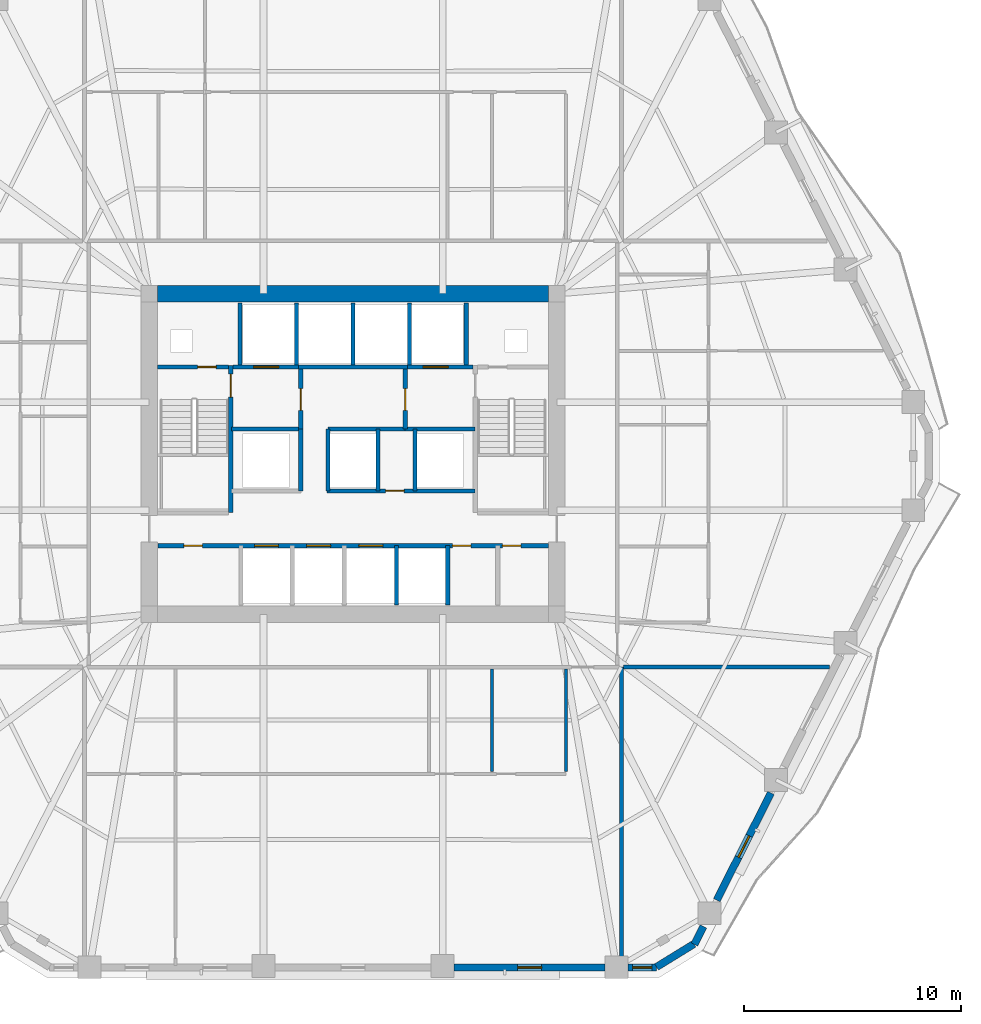
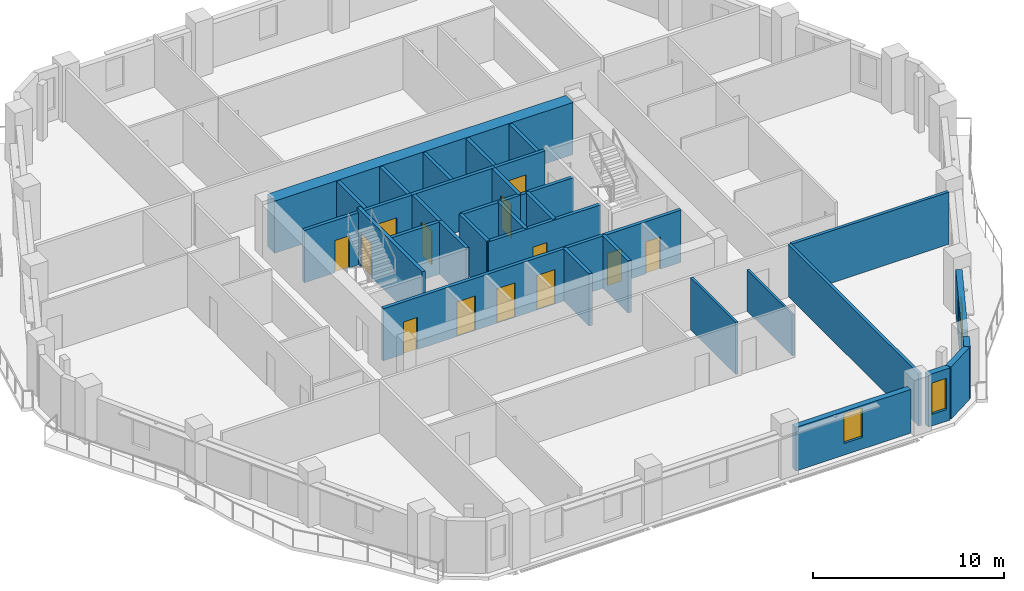
# One storey, part 5 of 13: 33 walls, 13 doors, 3 windows, 16 openings.
"""IFC4 building model written with IfcOpenShell, lengths in metres."""

from ifc_helpers import new_model, si_unit, direction, frame, frame_2d, origin, place, context, subcontext, project, spatial, rectangle, extrude, material, layer, layer_set, type_object, element, fill, save


model = new_model("IFC4")

# Units and contexts
model_context = context("Model", 3, precision=1e-05, world=origin(), true_north=direction((0.0, 1.0)))
body_context = subcontext(model_context, "Body", "Model", "MODEL_VIEW")
ifc_project = project(units=[si_unit("LENGTHUNIT", "METRE"), si_unit("AREAUNIT", "SQUARE_METRE"), si_unit("VOLUMEUNIT", "CUBIC_METRE"), si_unit("PLANEANGLEUNIT", "RADIAN"), si_unit("MASSUNIT", "GRAM", prefix="KILO")], contexts=[model_context])

# Site, building, storey
site_placement = place(None, origin())
site = spatial("IfcSite", under=ifc_project, at=site_placement, CompositionType="ELEMENT")
building_placement = place(site_placement, origin())
building = spatial("IfcBuilding", under=site, at=building_placement, Name="Cinnabar Lancet Tower", CompositionType="ELEMENT")
storey_placement = place(building_placement, frame((0.0, 0.0, 83.550048828125)))
storey = spatial("IfcBuildingStorey", under=building, at=storey_placement, Name="L21", CompositionType="ELEMENT", Elevation=83.550048828125)

# Walls
ifc_material_1 = material(Name="Fire-rated twin-frame acoustic drywall", Category="gypsum")
ifc_layer_1 = layer(ifc_material_1, 0.179931640625)
ifc_layer_set_1 = layer_set([ifc_layer_1], Name="Fire-rated twin-frame acoustic drywall")
wall_type_1 = type_object("IfcWallType", Name="ARC-WL-PARTY-180", PredefinedType="PARTITIONING", material=ifc_layer_set_1)
wall_1_placement = place(storey_placement, frame((44.75, 2.455078125, 0.0), z_axis=(0.0, 0.0, 1.0), x_axis=(0.0, 1.0, 0.0)))
element("IfcWall", 1, at=wall_1_placement, inside=storey, type_object=wall_type_1, Name="PW-L21-SPTY-448", PredefinedType="PARTITIONING", context=body_context, shape_type="SweptSolid", body=[
    extrude(rectangle(XDim=13.64501953125, YDim=0.179931640625, at=frame_2d((6.822509765625, 0.0))), origin(), (0.0, 0.0, 1.0), 3.329833984375),
])
wall_2_placement = place(storey_placement, frame((44.844970703125, 16.10009765625, 0.0), z_axis=(0.0, 0.0, 1.0), x_axis=(1.0, 0.0, 0.0)))
element("IfcWall", 2, at=wall_2_placement, inside=storey, type_object=wall_type_1, Name="PW-L21-ESB", PredefinedType="PARTITIONING", context=body_context, shape_type="SweptSolid", body=[
    extrude(rectangle(XDim=9.467041015625, YDim=0.179931640625, at=frame_2d((4.7333984375, 0.0))), origin(), (0.0, 0.0, 1.0), 3.329833984375),
])

# Wall, opening, door
ifc_material_2 = material(Name="Autoclaved aerated concrete blockwork", Category="masonry")
ifc_layer_2 = layer(ifc_material_2, 0.199951171875)
ifc_layer_set_2 = layer_set([ifc_layer_2], Name="Autoclaved aerated concrete blockwork")
wall_type_2 = type_object("IfcWallType", Name="ARC-WL-SHAFT-200", PredefinedType="PLUMBINGWALL", material=ifc_layer_set_2)
wall_3_placement = place(storey_placement, frame((23.405029296875, 29.89990234375, 0.0), z_axis=(0.0, 0.0, 1.0), x_axis=(1.0, 0.0, 0.0)))
wall_3 = element("IfcWall", 3, at=wall_3_placement, inside=storey, type_object=wall_type_2, Name="CW-NSH-W-L21", PredefinedType="PLUMBINGWALL", context=body_context, shape_type="SweptSolid", body=[
    extrude(rectangle(XDim=3.27001953125, YDim=0.199951171875, at=frame_2d((1.635009765625, 0.0))), origin(), (0.0, 0.0, 1.0), 3.329833984375),
])
opening_1_placement = place(wall_3_placement, frame((1.85009765625, 0.0, 0.0)))
opening_1 = element("IfcOpeningElement", 4, at=opening_1_placement, cuts=wall_3, Name="Opening PD-02", PredefinedType="OPENING", context=body_context, shape_type="SweptSolid", body=[
    extrude(rectangle(XDim=0.85009765625, YDim=2.050048828125, at=frame_2d((0.425048828125, 1.02490234375))), frame((0.0, 0.10986328125, 0.0), z_axis=(0.0, -1.0, 0.0), x_axis=(1.0, 0.0, 0.0)), (0.0, 0.0, 1.0), 0.219970703125),
])
ifc_material_3 = material(Name="Fire-rated steel riser access door", Category="steel")
door_type_1 = type_object("IfcDoorType", Name="ARC-DR-RISER", OperationType="NOTDEFINED", PredefinedType="DOOR", material=ifc_material_3)
door_1_placement = place(opening_1_placement, origin())
door_1 = element("IfcDoor", 5, at=door_1_placement, inside=storey, type_object=door_type_1, Name="L21 West Riser Access Door", OperationType="SINGLE_SWING_LEFT", OverallHeight=2.050048828125, OverallWidth=0.85009765625, PredefinedType="DOOR", context=body_context, shape_type="SweptSolid", body=[
    extrude(rectangle(XDim=0.85009765625, YDim=2.050048828125, at=frame_2d((0.425048828125, 1.02490234375))), frame((0.0, 0.02490234375, 0.0), z_axis=(0.0, -1.0, 0.0), x_axis=(1.0, 0.0, 0.0)), (0.0, 0.0, 1.0), 0.050048828125),
])
fill(opening_1, door_1)

wall_4_placement = place(storey_placement, frame((26.885009765625, 29.89990234375, 0.0), z_axis=(0.0, 0.0, 1.0), x_axis=(1.0, 0.0, 0.0)))
wall_4 = element("IfcWall", 6, at=wall_4_placement, inside=storey, type_object=wall_type_2, Name="CW-FL1-L21", PredefinedType="PLUMBINGWALL", context=body_context, shape_type="SweptSolid", body=[
    extrude(rectangle(XDim=3.014892578125, YDim=0.199951171875, at=frame_2d((1.50732421875, 0.0))), origin(), (0.0, 0.0, 1.0), 3.329833984375),
])
opening_2_placement = place(wall_4_placement, frame((0.93994140625, 0.0, 0.0)))
opening_2 = element("IfcOpeningElement", 7, at=opening_2_placement, cuts=wall_4, Name="Opening LD-02", PredefinedType="OPENING", context=body_context, shape_type="SweptSolid", body=[
    extrude(rectangle(XDim=1.14990234375, YDim=2.199951171875, at=frame_2d((0.574951171875, 1.10009765625))), frame((0.0, 0.10986328125, 0.0), z_axis=(0.0, -1.0, 0.0), x_axis=(1.0, 0.0, 0.0)), (0.0, 0.0, 1.0), 0.219970703125),
])
ifc_material_4 = material(Name="Fire-rated stainless steel firefighting lift landing door", Category="steel")
door_type_2 = type_object("IfcDoorType", Name="ARC-DR-LD-FIRE", OperationType="NOTDEFINED", PredefinedType="DOOR", material=ifc_material_4)
door_2_placement = place(opening_2_placement, origin())
door_2 = element("IfcDoor", 8, at=door_2_placement, inside=storey, type_object=door_type_2, Name="L21 Firefighting Lift FL-1 Landing Door", OperationType="DOUBLE_DOOR_SLIDING", OverallHeight=2.199951171875, OverallWidth=1.14990234375, PredefinedType="DOOR", context=body_context, shape_type="SweptSolid", body=[
    extrude(rectangle(XDim=1.14990234375, YDim=2.199951171875, at=frame_2d((0.574951171875, 1.10009765625))), frame((0.0, 0.02490234375, 0.0), z_axis=(0.0, -1.0, 0.0), x_axis=(1.0, 0.0, 0.0)), (0.0, 0.0, 1.0), 0.050048828125),
])
fill(opening_2, door_2)

# Wall
wall_5_placement = place(storey_placement, frame((29.89990234375, 29.89990234375, 0.0), z_axis=(0.0, 0.0, 1.0), x_axis=(1.0, 0.0, 0.0)))
element("IfcWall", 9, at=wall_5_placement, inside=storey, type_object=wall_type_2, Name="CW-PL78-L21", PredefinedType="PLUMBINGWALL", context=body_context, shape_type="SweptSolid", body=[
    extrude(rectangle(XDim=5.0, YDim=0.199951171875, at=frame_2d((2.5, 0.0))), origin(), (0.0, 0.0, 1.0), 3.329833984375),
])

# Wall, opening, door
wall_6_placement = place(storey_placement, frame((34.89990234375, 29.89990234375, 0.0), z_axis=(0.0, 0.0, 1.0), x_axis=(1.0, 0.0, 0.0)))
wall_6 = element("IfcWall", 10, at=wall_6_placement, inside=storey, type_object=wall_type_2, Name="CW-FL2-L21", PredefinedType="PLUMBINGWALL", context=body_context, shape_type="SweptSolid", body=[
    extrude(rectangle(XDim=3.01513671875, YDim=0.199951171875, at=frame_2d((1.507568359375, 0.0))), origin(), (0.0, 0.0, 1.0), 3.329833984375),
])
opening_3_placement = place(wall_6_placement, frame((0.72509765625, 0.0, 0.0)))
opening_3 = element("IfcOpeningElement", 11, at=opening_3_placement, cuts=wall_6, Name="Opening LD-02", PredefinedType="OPENING", context=body_context, shape_type="SweptSolid", body=[
    extrude(rectangle(XDim=1.14990234375, YDim=2.199951171875, at=frame_2d((0.574951171875, 1.10009765625))), frame((0.0, 0.10986328125, 0.0), z_axis=(0.0, -1.0, 0.0), x_axis=(1.0, 0.0, 0.0)), (0.0, 0.0, 1.0), 0.219970703125),
])
door_3_placement = place(opening_3_placement, origin())
door_3 = element("IfcDoor", 12, at=door_3_placement, inside=storey, type_object=door_type_2, Name="L21 Firefighting Lift FL-2 Landing Door", OperationType="DOUBLE_DOOR_SLIDING", OverallHeight=2.199951171875, OverallWidth=1.14990234375, PredefinedType="DOOR", context=body_context, shape_type="SweptSolid", body=[
    extrude(rectangle(XDim=1.14990234375, YDim=2.199951171875, at=frame_2d((0.574951171875, 1.10009765625))), frame((0.0, 0.02490234375, 0.0), z_axis=(0.0, -1.0, 0.0), x_axis=(1.0, 0.0, 0.0)), (0.0, 0.0, 1.0), 0.050048828125),
])
fill(opening_3, door_3)

# Walls
for number, where, z_axis, x_axis, name in (
    (13, (27.199951171875, 30.0, 0.0), (0.0, 0.0, 1.0), (0.0, 1.0, 0.0), "CW-NSH-D1-L21"),
    (14, (29.800048828125, 30.0, 0.0), (0.0, 0.0, 1.0), (0.0, 1.0, 0.0), "CW-NSH-D2-L21"),
    (15, (32.39990234375, 30.0, 0.0), (0.0, 0.0, 1.0), (0.0, 1.0, 0.0), "CW-NSH-D3-L21"),
    (16, (35.0, 30.0, 0.0), (0.0, 0.0, 1.0), (0.0, 1.0, 0.0), "CW-NSH-D4-L21"),
    (17, (37.60009765625, 30.0, 0.0), (0.0, 0.0, 1.0), (0.0, 1.0, 0.0), "CW-NSH-D5-L21"),
):
    element("IfcWall", number, at=place(storey_placement, frame(where, z_axis=z_axis, x_axis=x_axis)), inside=storey, type_object=wall_type_2, Name=name, PredefinedType="PLUMBINGWALL", context=body_context, shape_type="SweptSolid", body=[
        extrude(rectangle(XDim=2.85009765625, YDim=0.199951171875, at=frame_2d((1.425048828125, 0.0))), origin(), (0.0, 0.0, 1.0), 3.329833984375),
    ])

# Wall, opening, door
wall_7_placement = place(storey_placement, frame((30.0, 27.050048828125, 0.0), z_axis=(0.0, 0.0, 1.0), x_axis=(0.0, 1.0, 0.0)))
wall_7 = element("IfcWall", 18, at=wall_7_placement, inside=storey, type_object=wall_type_2, Name="CW-FF1E-L21", PredefinedType="PLUMBINGWALL", context=body_context, shape_type="SweptSolid", body=[
    extrude(rectangle(XDim=2.75, YDim=0.199951171875, at=frame_2d((1.375, 0.0))), origin(), (0.0, 0.0, 1.0), 3.329833984375),
])
opening_4_placement = place(wall_7_placement, frame((0.85009765625, 0.0, 0.0)))
opening_4 = element("IfcOpeningElement", 19, at=opening_4_placement, cuts=wall_7, Name="Opening FD-01", PredefinedType="OPENING", context=body_context, shape_type="SweptSolid", body=[
    extrude(rectangle(XDim=1.0, YDim=2.14990234375, at=frame_2d((0.5, 1.074951171875))), frame((0.0, 0.10986328125, 0.0), z_axis=(0.0, -1.0, 0.0), x_axis=(1.0, 0.0, 0.0)), (0.0, 0.0, 1.0), 0.219970703125),
])
ifc_material_5 = material(Name="Fire-rated timber-core lobby door", Category="wood")
door_type_3 = type_object("IfcDoorType", Name="ARC-DR-FFAL", OperationType="NOTDEFINED", PredefinedType="DOOR", material=ifc_material_5)
door_4_placement = place(opening_4_placement, origin())
door_4 = element("IfcDoor", 20, at=door_4_placement, inside=storey, type_object=door_type_3, Name="L21 FFAL-1 Lobby Fire Door", OperationType="SINGLE_SWING_RIGHT", OverallHeight=2.14990234375, OverallWidth=1.0, PredefinedType="DOOR", context=body_context, shape_type="SweptSolid", body=[
    extrude(rectangle(XDim=1.0, YDim=2.14990234375, at=frame_2d((0.5, 1.074951171875))), frame((0.0, 0.02490234375, 0.0), z_axis=(0.0, -1.0, 0.0), x_axis=(1.0, 0.0, 0.0)), (0.0, 0.0, 1.0), 0.050048828125),
])
fill(opening_4, door_4)

# Wall
wall_8_placement = place(storey_placement, frame((26.800048828125, 27.050048828125, 0.0), z_axis=(0.0, 0.0, 1.0), x_axis=(1.0, 0.0, 0.0)))
element("IfcWall", 21, at=wall_8_placement, inside=storey, type_object=wall_type_2, Name="CW-FF1S-L21", PredefinedType="PLUMBINGWALL", context=body_context, shape_type="SweptSolid", body=[
    extrude(rectangle(XDim=3.199951171875, YDim=0.199951171875, at=frame_2d((1.60009765625, 0.0))), origin(), (0.0, 0.0, 1.0), 3.329833984375),
])

# Wall, opening, door
wall_9_placement = place(storey_placement, frame((34.800048828125, 27.050048828125, 0.0), z_axis=(0.0, 0.0, 1.0), x_axis=(0.0, 1.0, 0.0)))
wall_9 = element("IfcWall", 22, at=wall_9_placement, inside=storey, type_object=wall_type_2, Name="CW-FF2W-L21", PredefinedType="PLUMBINGWALL", context=body_context, shape_type="SweptSolid", body=[
    extrude(rectangle(XDim=2.75, YDim=0.199951171875, at=frame_2d((1.375, 0.0))), origin(), (0.0, 0.0, 1.0), 3.329833984375),
])
opening_5_placement = place(wall_9_placement, frame((0.85009765625, 0.0, 0.0)))
opening_5 = element("IfcOpeningElement", 23, at=opening_5_placement, cuts=wall_9, Name="Opening FD-01", PredefinedType="OPENING", context=body_context, shape_type="SweptSolid", body=[
    extrude(rectangle(XDim=1.0, YDim=2.14990234375, at=frame_2d((0.5, 1.074951171875))), frame((0.0, 0.10986328125, 0.0), z_axis=(0.0, -1.0, 0.0), x_axis=(1.0, 0.0, 0.0)), (0.0, 0.0, 1.0), 0.219970703125),
])
door_5_placement = place(opening_5_placement, origin())
door_5 = element("IfcDoor", 24, at=door_5_placement, inside=storey, type_object=door_type_3, Name="L21 FFAL-2 Lobby Fire Door", OperationType="SINGLE_SWING_LEFT", OverallHeight=2.14990234375, OverallWidth=1.0, PredefinedType="DOOR", context=body_context, shape_type="SweptSolid", body=[
    extrude(rectangle(XDim=1.0, YDim=2.14990234375, at=frame_2d((0.5, 1.074951171875))), frame((0.0, 0.02490234375, 0.0), z_axis=(0.0, -1.0, 0.0), x_axis=(1.0, 0.0, 0.0)), (0.0, 0.0, 1.0), 0.050048828125),
])
fill(opening_5, door_5)

# Walls
wall_10_placement = place(storey_placement, frame((34.800048828125, 27.050048828125, 0.0), z_axis=(0.0, 0.0, 1.0), x_axis=(1.0, 0.0, 0.0)))
element("IfcWall", 25, at=wall_10_placement, inside=storey, type_object=wall_type_2, Name="CW-FF2S-L21", PredefinedType="PLUMBINGWALL", context=body_context, shape_type="SweptSolid", body=[
    extrude(rectangle(XDim=3.199951171875, YDim=0.199951171875, at=frame_2d((1.60009765625, 0.0))), origin(), (0.0, 0.0, 1.0), 3.329833984375),
])
wall_11_placement = place(storey_placement, frame((30.0, 24.199951171875, 0.0), z_axis=(0.0, 0.0, 1.0), x_axis=(0.0, 1.0, 0.0)))
element("IfcWall", 26, at=wall_11_placement, inside=storey, type_object=wall_type_2, Name="CW-PL5E-L21", PredefinedType="PLUMBINGWALL", context=body_context, shape_type="SweptSolid", body=[
    extrude(rectangle(XDim=2.85009765625, YDim=0.199951171875, at=frame_2d((1.425048828125, 0.0))), origin(), (0.0, 0.0, 1.0), 3.329833984375),
])

# Wall, opening, door
wall_12_placement = place(storey_placement, frame((31.199951171875, 24.199951171875, 0.0), z_axis=(0.0, 0.0, 1.0), x_axis=(1.0, 0.0, 0.0)))
wall_12 = element("IfcWall", 27, at=wall_12_placement, inside=storey, type_object=wall_type_2, Name="CW-PL96S-L21", PredefinedType="PLUMBINGWALL", context=body_context, shape_type="SweptSolid", body=[
    extrude(rectangle(XDim=6.800048828125, YDim=0.199951171875, at=frame_2d((3.39990234375, 0.0))), origin(), (0.0, 0.0, 1.0), 3.329833984375),
])
opening_6_placement = place(wall_12_placement, frame((2.699951171875, 0.0, 0.0)))
opening_6 = element("IfcOpeningElement", 28, at=opening_6_placement, cuts=wall_12, Name="Opening PD-02", PredefinedType="OPENING", context=body_context, shape_type="SweptSolid", body=[
    extrude(rectangle(XDim=0.85009765625, YDim=2.050048828125, at=frame_2d((0.425048828125, 1.02490234375))), frame((0.0, 0.10986328125, 0.0), z_axis=(0.0, -1.0, 0.0), x_axis=(1.0, 0.0, 0.0)), (0.0, 0.0, 1.0), 0.219970703125),
])
door_6_placement = place(opening_6_placement, origin())
door_6 = element("IfcDoor", 29, at=door_6_placement, inside=storey, type_object=door_type_1, Name="L21 BMS Closet Door", OperationType="SINGLE_SWING_LEFT", OverallHeight=2.050048828125, OverallWidth=0.85009765625, PredefinedType="DOOR", context=body_context, shape_type="SweptSolid", body=[
    extrude(rectangle(XDim=0.85009765625, YDim=2.050048828125, at=frame_2d((0.425048828125, 1.02490234375))), frame((0.0, 0.02490234375, 0.0), z_axis=(0.0, -1.0, 0.0), x_axis=(1.0, 0.0, 0.0)), (0.0, 0.0, 1.0), 0.050048828125),
])
fill(opening_6, door_6)

# Walls
for number, where, z_axis, x_axis, name in (
    (30, (31.25, 24.199951171875, 0.0), (0.0, 0.0, 1.0), (0.0, 1.0, 0.0), "CW-PL9W-L21"),
    (31, (33.550048828125, 24.199951171875, 0.0), (0.0, 0.0, 1.0), (0.0, 1.0, 0.0), "CW-PL9E-L21"),
    (32, (35.25, 24.199951171875, 0.0), (0.0, 0.0, 1.0), (0.0, 1.0, 0.0), "CW-PL6W-L21"),
):
    element("IfcWall", number, at=place(storey_placement, frame(where, z_axis=z_axis, x_axis=x_axis)), inside=storey, type_object=wall_type_2, Name=name, PredefinedType="PLUMBINGWALL", context=body_context, shape_type="SweptSolid", body=[
        extrude(rectangle(XDim=2.85009765625, YDim=0.199951171875, at=frame_2d((1.425048828125, 0.0))), origin(), (0.0, 0.0, 1.0), 3.329833984375),
    ])
wall_13_placement = place(storey_placement, frame((31.25, 27.050048828125, 0.0), z_axis=(0.0, 0.0, 1.0), x_axis=(1.0, 0.0, 0.0)))
element("IfcWall", 33, at=wall_13_placement, inside=storey, type_object=wall_type_2, Name="CW-PL96N-L21", PredefinedType="PLUMBINGWALL", context=body_context, shape_type="SweptSolid", body=[
    extrude(rectangle(XDim=3.550048828125, YDim=0.199951171875, at=frame_2d((1.77490234375, 0.0))), origin(), (0.0, 0.0, 1.0), 3.329833984375),
])

# Wall, openings, doors
wall_14_placement = place(storey_placement, frame((23.419921875, 21.679931640625, 0.0), z_axis=(0.0, 0.0, 1.0), x_axis=(1.0, 0.0, 0.0)))
wall_14 = element("IfcWall", 34, at=wall_14_placement, inside=storey, type_object=wall_type_2, Name="CW-SBANDN-L21", PredefinedType="PLUMBINGWALL", context=body_context, shape_type="SweptSolid", body=[
    extrude(rectangle(XDim=17.9599609375, YDim=0.199951171875, at=frame_2d((8.97998046875, 0.0))), origin(), (0.0, 0.0, 1.0), 3.329833984375),
])
opening_7_placement = place(wall_14_placement, frame((4.449951171875, 0.0, 0.0)))
opening_7 = element("IfcOpeningElement", 35, at=opening_7_placement, cuts=wall_14, Name="Opening LD-01", PredefinedType="OPENING", context=body_context, shape_type="SweptSolid", body=[
    extrude(rectangle(XDim=1.10009765625, YDim=2.199951171875, at=frame_2d((0.550048828125, 1.10009765625))), frame((0.0, 0.10986328125, 0.0), z_axis=(0.0, -1.0, 0.0), x_axis=(1.0, 0.0, 0.0)), (0.0, 0.0, 1.0), 0.219970703125),
])
opening_8_placement = place(wall_14_placement, frame((6.85009765625, 0.0, 0.0)))
opening_8 = element("IfcOpeningElement", 36, at=opening_8_placement, cuts=wall_14, Name="Opening LD-01", PredefinedType="OPENING", context=body_context, shape_type="SweptSolid", body=[
    extrude(rectangle(XDim=1.10009765625, YDim=2.199951171875, at=frame_2d((0.550048828125, 1.10009765625))), frame((0.0, 0.10986328125, 0.0), z_axis=(0.0, -1.0, 0.0), x_axis=(1.0, 0.0, 0.0)), (0.0, 0.0, 1.0), 0.219970703125),
])
opening_9_placement = place(wall_14_placement, frame((9.25, 0.0, 0.0)))
opening_9 = element("IfcOpeningElement", 37, at=opening_9_placement, cuts=wall_14, Name="Opening LD-01", PredefinedType="OPENING", context=body_context, shape_type="SweptSolid", body=[
    extrude(rectangle(XDim=1.10009765625, YDim=2.199951171875, at=frame_2d((0.550048828125, 1.10009765625))), frame((0.0, 0.10986328125, 0.0), z_axis=(0.0, -1.0, 0.0), x_axis=(1.0, 0.0, 0.0)), (0.0, 0.0, 1.0), 0.219970703125),
])
opening_10_placement = place(wall_14_placement, frame((1.199951171875, 0.0, 0.0)))
opening_10 = element("IfcOpeningElement", 38, at=opening_10_placement, cuts=wall_14, Name="Opening PD-02", PredefinedType="OPENING", context=body_context, shape_type="SweptSolid", body=[
    extrude(rectangle(XDim=0.85009765625, YDim=2.050048828125, at=frame_2d((0.425048828125, 1.02490234375))), frame((0.0, 0.10986328125, 0.0), z_axis=(0.0, -1.0, 0.0), x_axis=(1.0, 0.0, 0.0)), (0.0, 0.0, 1.0), 0.219970703125),
])
opening_11_placement = place(wall_14_placement, frame((13.550048828125, 0.0, 0.0)))
opening_11 = element("IfcOpeningElement", 39, at=opening_11_placement, cuts=wall_14, Name="Opening PD-02", PredefinedType="OPENING", context=body_context, shape_type="SweptSolid", body=[
    extrude(rectangle(XDim=0.85009765625, YDim=2.050048828125, at=frame_2d((0.425048828125, 1.02490234375))), frame((0.0, 0.10986328125, 0.0), z_axis=(0.0, -1.0, 0.0), x_axis=(1.0, 0.0, 0.0)), (0.0, 0.0, 1.0), 0.219970703125),
])
opening_12_placement = place(wall_14_placement, frame((15.85009765625, 0.0, 0.0)))
opening_12 = element("IfcOpeningElement", 40, at=opening_12_placement, cuts=wall_14, Name="Opening PD-02", PredefinedType="OPENING", context=body_context, shape_type="SweptSolid", body=[
    extrude(rectangle(XDim=0.85009765625, YDim=2.050048828125, at=frame_2d((0.425048828125, 1.02490234375))), frame((0.0, 0.10986328125, 0.0), z_axis=(0.0, -1.0, 0.0), x_axis=(1.0, 0.0, 0.0)), (0.0, 0.0, 1.0), 0.219970703125),
])
ifc_material_6 = material(Name="Brushed stainless steel sliding lift door", Category="steel")
door_type_4 = type_object("IfcDoorType", Name="ARC-DR-LD-PASS", OperationType="NOTDEFINED", PredefinedType="DOOR", material=ifc_material_6)
door_7_placement = place(opening_7_placement, origin())
door_7 = element("IfcDoor", 41, at=door_7_placement, inside=storey, type_object=door_type_4, Name="L21 Lift PL-1 Landing Door", OperationType="DOUBLE_DOOR_SLIDING", OverallHeight=2.199951171875, OverallWidth=1.10009765625, PredefinedType="DOOR", context=body_context, shape_type="SweptSolid", body=[
    extrude(rectangle(XDim=1.10009765625, YDim=2.199951171875, at=frame_2d((0.550048828125, 1.10009765625))), frame((0.0, 0.02490234375, 0.0), z_axis=(0.0, -1.0, 0.0), x_axis=(1.0, 0.0, 0.0)), (0.0, 0.0, 1.0), 0.050048828125),
])
fill(opening_7, door_7)
door_8_placement = place(opening_8_placement, origin())
door_8 = element("IfcDoor", 42, at=door_8_placement, inside=storey, type_object=door_type_4, Name="L21 Lift PL-2 Landing Door", OperationType="DOUBLE_DOOR_SLIDING", OverallHeight=2.199951171875, OverallWidth=1.10009765625, PredefinedType="DOOR", context=body_context, shape_type="SweptSolid", body=[
    extrude(rectangle(XDim=1.10009765625, YDim=2.199951171875, at=frame_2d((0.550048828125, 1.10009765625))), frame((0.0, 0.02490234375, 0.0), z_axis=(0.0, -1.0, 0.0), x_axis=(1.0, 0.0, 0.0)), (0.0, 0.0, 1.0), 0.050048828125),
])
fill(opening_8, door_8)
door_9_placement = place(opening_9_placement, origin())
door_9 = element("IfcDoor", 43, at=door_9_placement, inside=storey, type_object=door_type_4, Name="L21 Lift PL-3 Landing Door", OperationType="DOUBLE_DOOR_SLIDING", OverallHeight=2.199951171875, OverallWidth=1.10009765625, PredefinedType="DOOR", context=body_context, shape_type="SweptSolid", body=[
    extrude(rectangle(XDim=1.10009765625, YDim=2.199951171875, at=frame_2d((0.550048828125, 1.10009765625))), frame((0.0, 0.02490234375, 0.0), z_axis=(0.0, -1.0, 0.0), x_axis=(1.0, 0.0, 0.0)), (0.0, 0.0, 1.0), 0.050048828125),
])
fill(opening_9, door_9)
door_10_placement = place(opening_10_placement, origin())
door_10 = element("IfcDoor", 44, at=door_10_placement, inside=storey, type_object=door_type_1, Name="DR-L21-SW1", OperationType="SINGLE_SWING_LEFT", OverallHeight=2.050048828125, OverallWidth=0.85009765625, PredefinedType="DOOR", context=body_context, shape_type="SweptSolid", body=[
    extrude(rectangle(XDim=0.85009765625, YDim=2.050048828125, at=frame_2d((0.425048828125, 1.02490234375))), frame((0.0, 0.02490234375, 0.0), z_axis=(0.0, -1.0, 0.0), x_axis=(1.0, 0.0, 0.0)), (0.0, 0.0, 1.0), 0.050048828125),
])
fill(opening_10, door_10)
door_11_placement = place(opening_11_placement, origin())
door_11 = element("IfcDoor", 45, at=door_11_placement, inside=storey, type_object=door_type_1, Name="DR-L21-SE1", OperationType="SINGLE_SWING_LEFT", OverallHeight=2.050048828125, OverallWidth=0.85009765625, PredefinedType="DOOR", context=body_context, shape_type="SweptSolid", body=[
    extrude(rectangle(XDim=0.85009765625, YDim=2.050048828125, at=frame_2d((0.425048828125, 1.02490234375))), frame((0.0, 0.02490234375, 0.0), z_axis=(0.0, -1.0, 0.0), x_axis=(1.0, 0.0, 0.0)), (0.0, 0.0, 1.0), 0.050048828125),
])
fill(opening_11, door_11)
door_12_placement = place(opening_12_placement, origin())
door_12 = element("IfcDoor", 46, at=door_12_placement, inside=storey, type_object=door_type_1, Name="DR-L21-SE2", OperationType="SINGLE_SWING_RIGHT", OverallHeight=2.050048828125, OverallWidth=0.85009765625, PredefinedType="DOOR", context=body_context, shape_type="SweptSolid", body=[
    extrude(rectangle(XDim=0.85009765625, YDim=2.050048828125, at=frame_2d((0.425048828125, 1.02490234375))), frame((0.0, 0.02490234375, 0.0), z_axis=(0.0, -1.0, 0.0), x_axis=(1.0, 0.0, 0.0)), (0.0, 0.0, 1.0), 0.050048828125),
])
fill(opening_12, door_12)

# Walls
for number, where, z_axis, x_axis, name in (
    (47, (34.39990234375, 18.949951171875, 0.0), (0.0, 0.0, 1.0), (0.0, 1.0, 0.0), "CW-SB-3440-L21"),
    (48, (36.75, 18.949951171875, 0.0), (0.0, 0.0, 1.0), (0.0, 1.0, 0.0), "CW-SB-3675-L21"),
):
    element("IfcWall", number, at=place(storey_placement, frame(where, z_axis=z_axis, x_axis=x_axis)), inside=storey, type_object=wall_type_2, Name=name, PredefinedType="PLUMBINGWALL", context=body_context, shape_type="SweptSolid", body=[
        extrude(rectangle(XDim=2.72998046875, YDim=0.199951171875, at=frame_2d((1.364990234375, 0.0))), origin(), (0.0, 0.0, 1.0), 3.329833984375),
    ])
ifc_material_7 = material(Name="Gypsum plasterboard stud partition", Category="gypsum")
ifc_layer_3 = layer(ifc_material_7, 0.125)
ifc_layer_set_3 = layer_set([ifc_layer_3], Name="Gypsum plasterboard stud partition")
wall_type_3 = type_object("IfcWallType", Name="ARC-WL-UNIT-125", PredefinedType="PARTITIONING", material=ifc_layer_set_3)
wall_15_placement = place(storey_placement, frame((42.199951171875, 11.29296875, 0.0), z_axis=(0.0, 0.0, 1.0), x_axis=(0.0, 1.0, 0.0)))
element("IfcWall", 49, at=wall_15_placement, inside=storey, type_object=wall_type_3, Name="UW-L21-S01-FOYW", PredefinedType="PARTITIONING", context=body_context, shape_type="SweptSolid", body=[
    extrude(rectangle(XDim=4.721923828125, YDim=0.125, at=frame_2d((2.36083984375, 0.0))), origin(), (0.0, 0.0, 1.0), 2.635986328125),
])
ifc_material_8 = material(Name="Moisture-resistant cement-board plumbing wall", Category="masonry")
ifc_layer_4 = layer(ifc_material_8, 0.139892578125)
ifc_layer_set_4 = layer_set([ifc_layer_4], Name="Moisture-resistant cement-board plumbing wall")
wall_type_4 = type_object("IfcWallType", Name="ARC-WL-WET-140", PredefinedType="PLUMBINGWALL", material=ifc_layer_set_4)
wall_16_placement = place(storey_placement, frame((38.800048828125, 11.29296875, 0.0), z_axis=(0.0, 0.0, 1.0), x_axis=(0.0, 1.0, 0.0)))
element("IfcWall", 50, at=wall_16_placement, inside=storey, type_object=wall_type_4, Name="UW-L21-S01-KBD", PredefinedType="PLUMBINGWALL", context=body_context, shape_type="SweptSolid", body=[
    extrude(rectangle(XDim=4.721923828125, YDim=0.139892578125, at=frame_2d((2.36083984375, 0.0))), origin(), (0.0, 0.0, 1.0), 3.329833984375),
])
ifc_material_9 = material(Name="Cinnabar red clay brick", Category="masonry")
ifc_layer_5 = layer(ifc_material_9, 0.340087890625)
ifc_layer_set_5 = layer_set([ifc_layer_5], Name="Cinnabar red clay brick")
wall_type_5 = type_object("IfcWallType", Name="ENV-WL-BRK-RED-340", PredefinedType="STANDARD", material=ifc_layer_set_5)
wall_17_placement = place(storey_placement, frame((46.361083984375, 2.304931640625, 0.0), z_axis=(0.0, 0.0, 1.0), x_axis=(0.851816122478, 0.523840904748, 0.0)))
element("IfcWall", 51, at=wall_17_placement, inside=storey, type_object=wall_type_5, Name="L21 Chamfered Corner Brick Pier 2.1", PredefinedType="STANDARD", context=body_context, shape_type="SweptSolid", body=[
    extrude(rectangle(XDim=2.01806640625, YDim=0.340087890625, at=frame_2d((1.009033203125, 0.0))), origin(), (0.0, 0.0, 1.0), 3.329833984375),
])

# Wall, opening, window
wall_18_placement = place(storey_placement, frame((37.051025390625, 2.280029296875, 0.0), z_axis=(0.0, 0.0, 1.0), x_axis=(1.0, 0.0, 0.0)))
wall_18 = element("IfcWall", 52, at=wall_18_placement, inside=storey, type_object=wall_type_5, Name="L21 Face 1 Masonry Bay Wall 4", PredefinedType="STANDARD", context=body_context, shape_type="SweptSolid", body=[
    extrude(rectangle(XDim=6.93701171875, YDim=0.340087890625, at=frame_2d((3.468505859375, 0.0))), origin(), (0.0, 0.0, 1.0), 2.786865234375),
])
opening_13_placement = place(wall_18_placement, frame((2.91796875, 0.0, 0.75)))
opening_13 = element("IfcOpeningElement", 53, at=opening_13_placement, cuts=wall_18, Name="Opening WN-04", PredefinedType="OPENING", context=body_context, shape_type="SweptSolid", body=[
    extrude(rectangle(XDim=1.10009765625, YDim=1.886962890625, at=frame_2d((0.550048828125, 0.943359375))), frame((0.0, 0.179931640625, 0.0), z_axis=(0.0, -1.0, 0.0), x_axis=(1.0, 0.0, 0.0)), (0.0, 0.0, 1.0), 0.360107421875),
])
ifc_material_10 = material(Name="Thermally broken bronze-anodized aluminium tall lancet window", Category="aluminium")
window_type = type_object("IfcWindowType", Name="ENV-WN-LANCET-1100", PartitioningType="SINGLE_PANEL", PredefinedType="WINDOW", material=ifc_material_10)
window_1_placement = place(opening_13_placement, origin())
window_1 = element("IfcWindow", 54, at=window_1_placement, inside=storey, type_object=window_type, Name="L21 Face 1 Gothic Lancet Window 4", OverallHeight=1.886962890625, OverallWidth=1.10009765625, PartitioningType="SINGLE_PANEL", PredefinedType="WINDOW", context=body_context, shape_type="SweptSolid", body=[
    extrude(rectangle(XDim=1.10009765625, YDim=1.886962890625, at=frame_2d((0.550048828125, 0.943359375))), frame((0.0, 0.030029296875, 0.0), z_axis=(0.0, -1.0, 0.0), x_axis=(1.0, 0.0, 0.0)), (0.0, 0.0, 1.0), 0.06005859375),
])
fill(opening_13, window_1)

wall_19_placement = place(storey_placement, frame((45.0458984375, 2.280029296875, 0.0), z_axis=(0.0, 0.0, 1.0), x_axis=(1.0, 0.0, 0.0)))
wall_19 = element("IfcWall", 55, at=wall_19_placement, inside=storey, type_object=wall_type_5, Name="L21 Face 1 Masonry Bay Wall 5", PredefinedType="STANDARD", context=body_context, shape_type="SweptSolid", body=[
    extrude(rectangle(XDim=1.320068359375, YDim=0.340087890625, at=frame_2d((0.66015625, 0.0))), origin(), (0.0, 0.0, 1.0), 3.329833984375),
])
opening_14_placement = place(wall_19_placement, frame((0.219970703125, 0.0, 0.75)))
opening_14 = element("IfcOpeningElement", 56, at=opening_14_placement, cuts=wall_19, Name="Opening WN-04", PredefinedType="OPENING", context=body_context, shape_type="SweptSolid", body=[
    extrude(rectangle(XDim=0.8798828125, YDim=2.0, at=frame_2d((0.43994140625, 1.0))), frame((0.0, 0.179931640625, 0.0), z_axis=(0.0, -1.0, 0.0), x_axis=(1.0, 0.0, 0.0)), (0.0, 0.0, 1.0), 0.360107421875),
])
window_2_placement = place(opening_14_placement, origin())
window_2 = element("IfcWindow", 57, at=window_2_placement, inside=storey, type_object=window_type, Name="L21 Split-Bay Gothic Lancet Window 60", OverallHeight=2.0, OverallWidth=0.8798828125, PartitioningType="SINGLE_PANEL", PredefinedType="WINDOW", context=body_context, shape_type="SweptSolid", body=[
    extrude(rectangle(XDim=0.8798828125, YDim=2.0, at=frame_2d((0.43994140625, 1.0))), frame((0.0, 0.030029296875, 0.0), z_axis=(0.0, -1.0, 0.0), x_axis=(1.0, 0.0, 0.0)), (0.0, 0.0, 1.0), 0.06005859375),
])
fill(opening_14, window_2)

# Wall
wall_20_placement = place(storey_placement, frame((48.10009765625, 3.345947265625, 0.0), z_axis=(0.0, 0.0, 1.0), x_axis=(0.451981678291, 0.892027220711, 0.0)))
element("IfcWall", 58, at=wall_20_placement, inside=storey, type_object=wall_type_5, Name="L21 Face 2 Masonry Bay Wall 1", PredefinedType="STANDARD", context=body_context, shape_type="SweptSolid", body=[
    extrude(rectangle(XDim=0.92041015625, YDim=0.340087890625, at=frame_2d((0.460205078125, 0.0))), origin(), (0.0, 0.0, 1.0), 3.329833984375),
])

# Wall, opening, window
wall_21_placement = place(storey_placement, frame((49.1279296875, 5.37890625, 0.0), z_axis=(0.0, 0.0, 1.0), x_axis=(0.451719795315, 0.892159866011, 0.0)))
wall_21 = element("IfcWall", 59, at=wall_21_placement, inside=storey, type_object=wall_type_5, Name="L21 Face 2 Masonry Bay Wall 2", PredefinedType="STANDARD", context=body_context, shape_type="SweptSolid", body=[
    extrude(rectangle(XDim=5.519287109375, YDim=0.340087890625, at=frame_2d((2.759765625, 0.0))), origin(), (0.0, 0.0, 1.0), 2.786865234375),
])
opening_15_placement = place(wall_21_placement, frame((2.2099609375, 0.0, 0.75)))
opening_15 = element("IfcOpeningElement", 60, at=opening_15_placement, cuts=wall_21, Name="Opening WN-04", PredefinedType="OPENING", context=body_context, shape_type="SweptSolid", body=[
    extrude(rectangle(XDim=1.10009765625, YDim=1.886962890625, at=frame_2d((0.550048828125, 0.943359375))), frame((0.0, 0.179931640625, 0.0), z_axis=(0.0, -1.0, 0.0), x_axis=(1.0, 0.0, 0.0)), (0.0, 0.0, 1.0), 0.360107421875),
])
window_3_placement = place(opening_15_placement, origin())
window_3 = element("IfcWindow", 61, at=window_3_placement, inside=storey, type_object=window_type, Name="L21 Face 2 Gothic Lancet Window 2", OverallHeight=1.886962890625, OverallWidth=1.10009765625, PartitioningType="SINGLE_PANEL", PredefinedType="WINDOW", context=body_context, shape_type="SweptSolid", body=[
    extrude(rectangle(XDim=1.10009765625, YDim=1.886962890625, at=frame_2d((0.550048828125, 0.943359375))), frame((0.0, 0.030029296875, 0.0), z_axis=(0.0, -1.0, 0.0), x_axis=(1.0, 0.0, 0.0)), (0.0, 0.0, 1.0), 0.06005859375),
])
fill(opening_15, window_3)

# Wall
ifc_material_11 = material(Name="Concrete C70/85", Category="concrete")
ifc_layer_6 = layer(ifc_material_11, 0.75)
ifc_layer_set_6 = layer_set([ifc_layer_6], Name="Concrete C70/85")
wall_type_6 = type_object("IfcWallType", Name="STR-WL-CORE-750", PredefinedType="SHEAR", material=ifc_layer_set_6)
wall_22_placement = place(storey_placement, frame((23.39990234375, 33.27490234375, 0.0), z_axis=(0.0, 0.0, 1.0), x_axis=(1.0, 0.0, 0.0)))
element("IfcWall", 62, at=wall_22_placement, inside=storey, type_object=wall_type_6, Name="L21 Core Shear Wall N", PredefinedType="SHEAR", context=body_context, shape_type="SweptSolid", body=[
    extrude(rectangle(XDim=18.0, YDim=0.75, at=frame_2d((9.0, 0.0))), origin(), (0.0, 0.0, 1.0), 3.329833984375),
])

# Wall, opening, door
ifc_material_12 = material(Name="Concrete C50/60", Category="concrete")
ifc_layer_7 = layer(ifc_material_12, 0.199951171875)
ifc_layer_set_7 = layer_set([ifc_layer_7], Name="Concrete C50/60")
wall_type_7 = type_object("IfcWallType", Name="STR-WL-STAIR-200", PredefinedType="SHEAR", material=ifc_layer_set_7)
wall_23_placement = place(storey_placement, frame((26.780029296875, 23.199951171875, 0.0), z_axis=(0.0, 0.0, 1.0), x_axis=(0.0, 1.0, 0.0)))
wall_23 = element("IfcWall", 63, at=wall_23_placement, inside=storey, type_object=wall_type_7, Name="L21 Stair ST-1 Structural Enclosure Wall", PredefinedType="SHEAR", context=body_context, shape_type="SweptSolid", body=[
    extrude(rectangle(XDim=6.780029296875, YDim=0.199951171875, at=frame_2d((3.39013671875, 0.0))), origin(), (0.0, 0.0, 1.0), 3.550048828125),
])
opening_16_placement = place(wall_23_placement, frame((5.320068359375, 0.0, 0.0)))
opening_16 = element("IfcOpeningElement", 64, at=opening_16_placement, cuts=wall_23, Name="Opening SD-01", PredefinedType="OPENING", context=body_context, shape_type="SweptSolid", body=[
    extrude(rectangle(XDim=1.050048828125, YDim=2.14990234375, at=frame_2d((0.52490234375, 1.074951171875))), frame((0.0, 0.10986328125, 0.0), z_axis=(0.0, -1.0, 0.0), x_axis=(1.0, 0.0, 0.0)), (0.0, 0.0, 1.0), 0.219970703125),
])
ifc_material_13 = material(Name="Fire-rated steel stair exit door", Category="steel")
door_type_5 = type_object("IfcDoorType", Name="ARC-DR-STAIR", OperationType="NOTDEFINED", PredefinedType="DOOR", material=ifc_material_13)
door_13_placement = place(opening_16_placement, origin())
door_13 = element("IfcDoor", 65, at=door_13_placement, inside=storey, type_object=door_type_5, Name="L21 Stair ST-1 Fire Door", OperationType="SINGLE_SWING_LEFT", OverallHeight=2.14990234375, OverallWidth=1.050048828125, PredefinedType="DOOR", context=body_context, shape_type="SweptSolid", body=[
    extrude(rectangle(XDim=1.050048828125, YDim=2.14990234375, at=frame_2d((0.52490234375, 1.074951171875))), frame((0.0, 0.02490234375, 0.0), z_axis=(0.0, -1.0, 0.0), x_axis=(1.0, 0.0, 0.0)), (0.0, 0.0, 1.0), 0.050048828125),
])
fill(opening_16, door_13)

save(model, "model.ifc")
